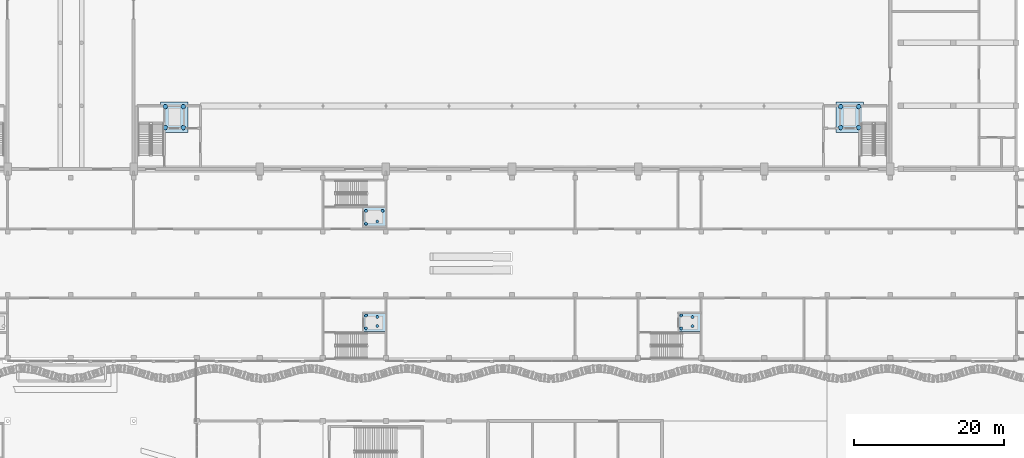
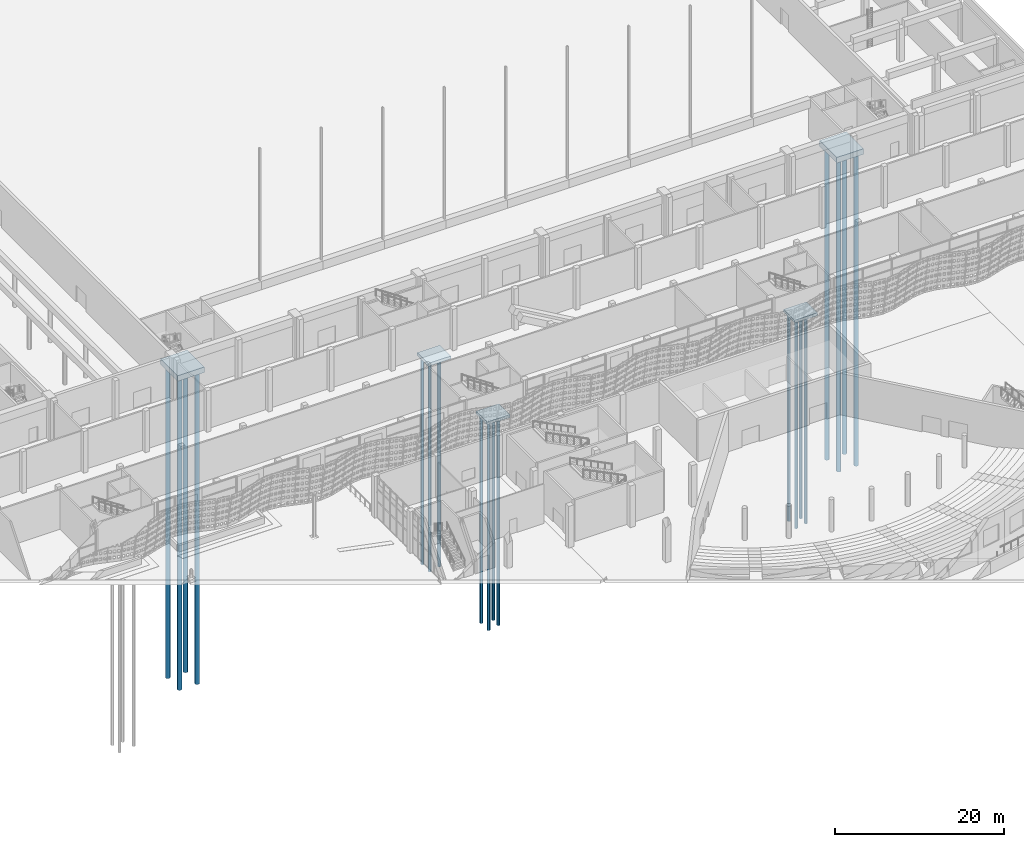
# One storey, part 2 of 210: 20 piles, 5 footings.
"""IFC4 building model written with IfcOpenShell, lengths in metres."""

from ifc_helpers import new_model, si_unit, direction, frame, origin, origin_2d, place, context, subcontext, project, spatial, polyline, circle, outline, extrude, material, material_profile, profile_set, type_object, element, save


model = new_model("IFC4")

# Units and contexts
model_context = context("Model", 3, precision=1e-05, world=origin(), true_north=direction((0.0, 1.0)))
body_context = subcontext(model_context, "Body", "Model", "MODEL_VIEW")
ifc_project = project(units=[si_unit("LENGTHUNIT", "METRE"), si_unit("AREAUNIT", "SQUARE_METRE"), si_unit("VOLUMEUNIT", "CUBIC_METRE"), si_unit("PLANEANGLEUNIT", "RADIAN"), si_unit("MASSUNIT", "GRAM", prefix="KILO")], contexts=[model_context])

# Site, building, storey
site_placement = place(None, origin())
site = spatial("IfcSite", under=ifc_project, at=site_placement, CompositionType="ELEMENT")
building_placement = place(site_placement, origin())
building = spatial("IfcBuilding", under=site, at=building_placement, Name="Rain Tree Exposition and Congress Centre", CompositionType="ELEMENT")
storey_placement = place(building_placement, origin())
storey = spatial("IfcBuildingStorey", under=building, at=storey_placement, Name="L00", CompositionType="ELEMENT", Elevation=0.0)

# Piles
ifc_material_1 = material(Name="Concrete C35/45", Category="concrete")
ifc_material_profile_1 = material_profile(ifc_material_1, circle(Radius=0.199951171875, at=origin_2d()), Name="D400")
ifc_profile_set_1 = profile_set([ifc_material_profile_1], Name="Concrete C35/45")
pile_type_1 = type_object("IfcPileType", Name="Bored pile D400", PredefinedType="BORED", material=ifc_profile_set_1)
for number, where, z_axis, x_axis, name in (
    (1, (173.75, 79.550048828125, -1.800048828125), (0.0, 0.0, -1.0), (1.0, 0.0, 0.0), "Lift C4 pit pile 1"),
    (2, (173.75, 81.25, -1.800048828125), (0.0, 0.0, -1.0), (1.0, 0.0, 0.0), "Lift C4 pit pile 2"),
    (3, (175.25, 79.85009765625, -1.800048828125), (0.0, 0.0, -1.0), (1.0, 0.0, 0.0), "Lift C4 pit pile 3"),
    (4, (175.25, 81.050048828125, -1.800048828125), (0.0, 0.0, -1.0), (1.0, 0.0, 0.0), "Lift C4 pit pile 4"),
    (5, (215.75, 79.550048828125, -1.800048828125), (0.0, 0.0, -1.0), (1.0, 0.0, 0.0), "Lift C5 pit pile 1"),
    (6, (215.75, 81.25, -1.800048828125), (0.0, 0.0, -1.0), (1.0, 0.0, 0.0), "Lift C5 pit pile 2"),
    (7, (217.25, 79.85009765625, -1.800048828125), (0.0, 0.0, -1.0), (1.0, 0.0, 0.0), "Lift C5 pit pile 3"),
    (8, (217.25, 81.050048828125, -1.800048828125), (0.0, 0.0, -1.0), (1.0, 0.0, 0.0), "Lift C5 pit pile 4"),
    (9, (173.75, 93.5, -1.800048828125), (0.0, 0.0, -1.0), (1.0, 0.0, 0.0), "Lift C11 pit pile 1"),
    (10, (173.75, 95.199951171875, -1.800048828125), (0.0, 0.0, -1.0), (1.0, 0.0, 0.0), "Lift C11 pit pile 2"),
    (11, (175.25, 93.800048828125, -1.800048828125), (0.0, 0.0, -1.0), (1.0, 0.0, 0.0), "Lift C11 pit pile 3"),
    (12, (175.949951171875, 95.199951171875, -1.800048828125), (0.0, 0.0, -1.0), (1.0, 0.0, 0.0), "Lift C11 pit pile 4"),
):
    element("IfcPile", number, at=place(storey_placement, frame(where, z_axis=z_axis, x_axis=x_axis)), inside=storey, type_object=pile_type_1, Name=name, PredefinedType="BORED", context=body_context, shape_type="SweptSolid", body=[
        extrude(circle(Radius=0.199951171875, at=origin_2d()), origin(), (0.0, 0.0, 1.0), 30.0),
    ])

# Footings
ifc_material_2 = material(Name="Concrete C40/50", Category="concrete")
footing_type_1 = type_object("IfcFootingType", Name="Concourse lift pit raft 400", PredefinedType="PAD_FOOTING", material=ifc_material_2)
footing_1_placement = place(storey_placement, frame((0.0, 0.0, -1.800048828125)))
element("IfcFooting", 13, at=footing_1_placement, inside=storey, type_object=footing_type_1, Name="Lift C4 pit raft", PredefinedType="PAD_FOOTING", context=body_context, shape_type="SweptSolid", body=[
    extrude(outline(polyline([(173.300048828125, 79.10009765625), (176.39990234375, 79.10009765625), (176.39990234375, 81.699951171875), (173.300048828125, 81.699951171875), (173.300048828125, 79.10009765625)])), origin(), (0.0, 0.0, 1.0), 0.400146484375),
])
footing_2_placement = place(storey_placement, frame((0.0, 0.0, -1.800048828125)))
element("IfcFooting", 14, at=footing_2_placement, inside=storey, type_object=footing_type_1, Name="Lift C5 pit raft", PredefinedType="PAD_FOOTING", context=body_context, shape_type="SweptSolid", body=[
    extrude(outline(polyline([(215.300048828125, 79.10009765625), (218.39990234375, 79.10009765625), (218.39990234375, 81.699951171875), (215.300048828125, 81.699951171875), (215.300048828125, 79.10009765625)])), origin(), (0.0, 0.0, 1.0), 0.400146484375),
])
footing_3_placement = place(storey_placement, frame((0.0, 0.0, -1.800048828125)))
element("IfcFooting", 15, at=footing_3_placement, inside=storey, type_object=footing_type_1, Name="Lift C11 pit raft", PredefinedType="PAD_FOOTING", context=body_context, shape_type="SweptSolid", body=[
    extrude(outline(polyline([(173.300048828125, 93.050048828125), (176.39990234375, 93.050048828125), (176.39990234375, 95.64990234375), (173.300048828125, 95.64990234375), (173.300048828125, 93.050048828125)])), origin(), (0.0, 0.0, 1.0), 0.400146484375),
])

# Piles
ifc_material_3 = material(Name="Concrete C35/45", Category="concrete")
ifc_material_profile_2 = material_profile(ifc_material_3, circle(Radius=0.300048828125, at=origin_2d()), Name="D600")
ifc_profile_set_2 = profile_set([ifc_material_profile_2], Name="Concrete C35/45")
pile_type_2 = type_object("IfcPileType", Name="Lift pit bored pile D600", PredefinedType="BORED", material=ifc_profile_set_2)
for number, where, z_axis, x_axis, name in (
    (16, (147.0, 106.300048828125, -2.199951171875), (0.0, 0.0, -1.0), (1.0, 0.0, 0.0), "Lift pit pile 5.1"),
    (17, (147.0, 109.10009765625, -2.199951171875), (0.0, 0.0, -1.0), (1.0, 0.0, 0.0), "Lift pit pile 5.2"),
    (18, (149.39990234375, 106.300048828125, -2.199951171875), (0.0, 0.0, -1.0), (1.0, 0.0, 0.0), "Lift pit pile 5.3"),
    (19, (149.39990234375, 109.10009765625, -2.199951171875), (0.0, 0.0, -1.0), (1.0, 0.0, 0.0), "Lift pit pile 5.4"),
    (20, (237.0, 106.300048828125, -2.199951171875), (0.0, 0.0, -1.0), (1.0, 0.0, 0.0), "Lift pit pile 6.1"),
    (21, (237.0, 109.10009765625, -2.199951171875), (0.0, 0.0, -1.0), (1.0, 0.0, 0.0), "Lift pit pile 6.2"),
    (22, (239.39990234375, 106.300048828125, -2.199951171875), (0.0, 0.0, -1.0), (1.0, 0.0, 0.0), "Lift pit pile 6.3"),
    (23, (239.39990234375, 109.10009765625, -2.199951171875), (0.0, 0.0, -1.0), (1.0, 0.0, 0.0), "Lift pit pile 6.4"),
):
    element("IfcPile", number, at=place(storey_placement, frame(where, z_axis=z_axis, x_axis=x_axis)), inside=storey, type_object=pile_type_2, Name=name, PredefinedType="BORED", context=body_context, shape_type="SweptSolid", body=[
        extrude(circle(Radius=0.300048828125, at=origin_2d()), origin(), (0.0, 0.0, 1.0), 45.0),
    ])

# Footings
ifc_material_4 = material(Name="Concrete C35/45", Category="concrete")
footing_type_2 = type_object("IfcFootingType", Name="Lift pit raft cap 800 thick", PredefinedType="PILE_CAP", material=ifc_material_4)
footing_4_placement = place(storey_placement, frame((0.0, 0.0, -2.199951171875)))
element("IfcFooting", 24, at=footing_4_placement, inside=storey, type_object=footing_type_2, Name="Lift pit raft cap 5", PredefinedType="PILE_CAP", context=body_context, shape_type="SweptSolid", body=[
    extrude(outline(polyline([(146.375, 105.675048828125), (150.02490234375, 105.675048828125), (150.02490234375, 109.72509765625), (146.375, 109.72509765625), (146.375, 105.675048828125)])), origin(), (0.0, 0.0, 1.0), 0.800048828125),
])
footing_5_placement = place(storey_placement, frame((0.0, 0.0, -2.199951171875)))
element("IfcFooting", 25, at=footing_5_placement, inside=storey, type_object=footing_type_2, Name="Lift pit raft cap 6", PredefinedType="PILE_CAP", context=body_context, shape_type="SweptSolid", body=[
    extrude(outline(polyline([(236.375, 105.675048828125), (240.02490234375, 105.675048828125), (240.02490234375, 109.72509765625), (236.375, 109.72509765625), (236.375, 105.675048828125)])), origin(), (0.0, 0.0, 1.0), 0.800048828125),
])

save(model, "model.ifc")
